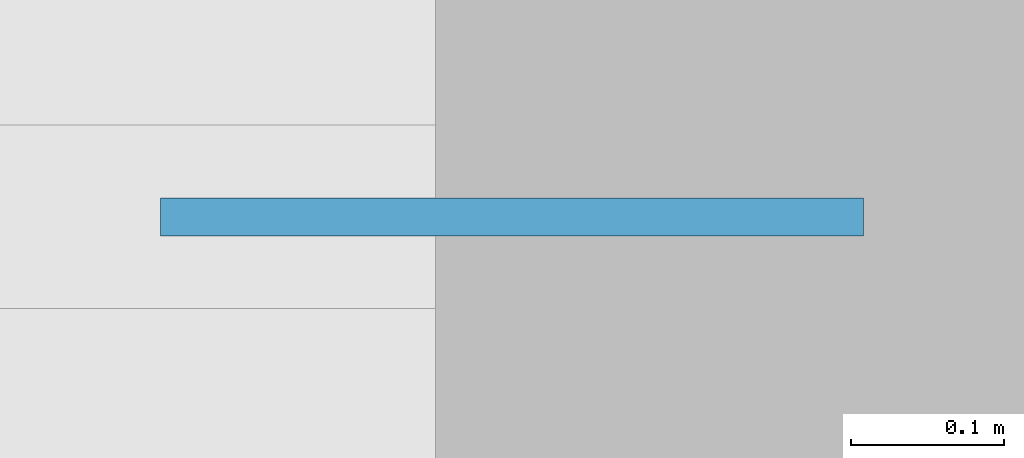
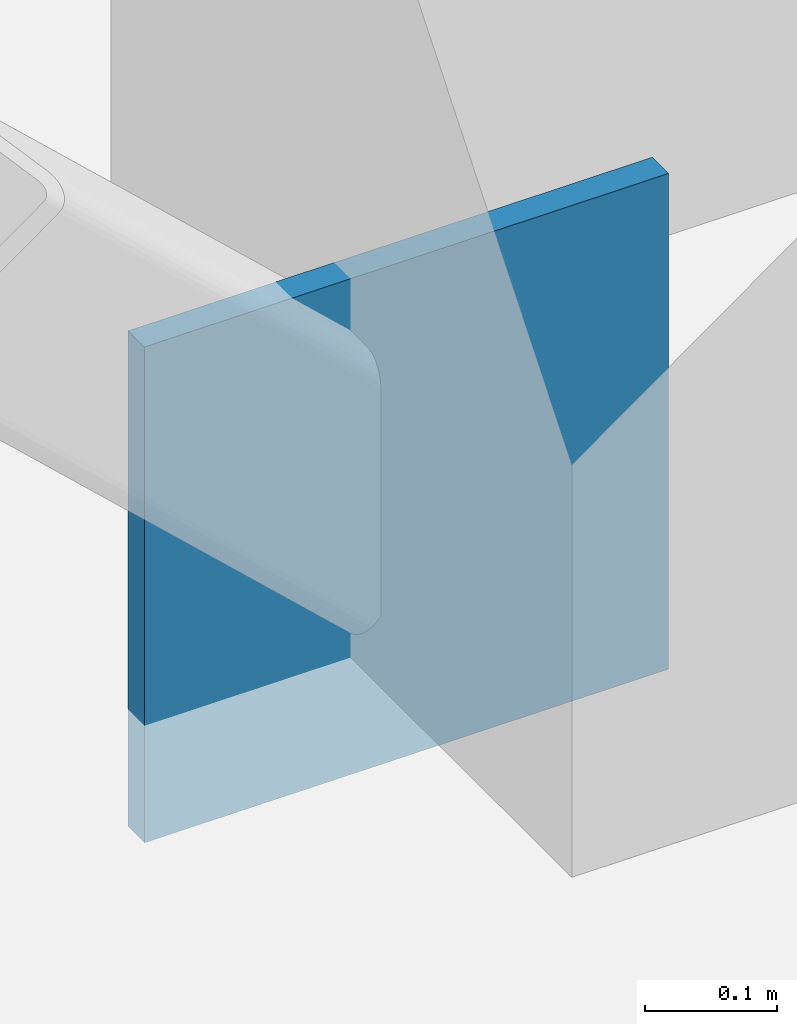
# One storey, part 23 of 36: 1 plate.
"""IFC4 building model written with IfcOpenShell, lengths in metres."""

import ifcopenshell
import ifcopenshell.guid

model = None  # the IFC model being written
_history = None  # IfcOwnerHistory: only IFC2X3 demands one
_inside = {}  # id of a spatial element -> (the spatial element, [elements in it])
_under = {}  # id of a project, library or spatial element -> (it, [spatial elements below it])
_declared = {}  # id of a project -> (the project, [libraries it declares])
_typed = {}  # id of a type object -> (the type object, [elements of that type])
_made_of = {}  # id of a material, layer set ... -> (it, [elements and type objects made of it])


def new_model(schema):
    """Start an empty IFC model of exactly this schema.

    Asked for "IFC4X3", IfcOpenShell would pick the latest addendum, in which some entities
    have other attributes; the version numbers below select the first issue.
    IFC2X3 requires an IfcOwnerHistory on every rooted entity: one is made here for all.
    """
    global model, _history
    if schema == "IFC4X3":
        model = ifcopenshell.file(schema_version=(4, 3, 0, 0))
    else:
        model = ifcopenshell.file(schema=schema)
    _inside.clear()
    _under.clear()
    _declared.clear()
    _typed.clear()
    _made_of.clear()
    _history = None
    if model.schema == "IFC2X3":
        org = make("IfcOrganization", Name="unknown")
        user = make(
            "IfcPersonAndOrganization",
            ThePerson=make("IfcPerson", FamilyName="unknown"),
            TheOrganization=org,
        )
        app = make(
            "IfcApplication",
            ApplicationDeveloper=org,
            Version="unknown",
            ApplicationFullName="unknown",
            ApplicationIdentifier="unknown",
        )
        _history = make(
            "IfcOwnerHistory",
            OwningUser=user,
            OwningApplication=app,
            ChangeAction="ADDED",
            CreationDate=0,
        )
    return model


def make(cls, **values):
    """One entity of the class cls with the attributes given. An attribute that is None is left unset."""
    return model.create_entity(
        cls, **{name: value for name, value in values.items() if value is not None}
    )


def rooted(cls, **values):
    """An entity with a GlobalId (a new one), such as an element, a storey or a relation."""
    return make(cls, GlobalId=ifcopenshell.guid.new(), OwnerHistory=_history, **values)


def si_unit(unit_type, name, prefix=None):
    """IfcSIUnit, for example si_unit("LENGTHUNIT", "METRE", prefix="MILLI")."""
    return make("IfcSIUnit", UnitType=unit_type, Prefix=prefix, Name=name)


def assignment(units):
    """IfcUnitAssignment: the units of a project."""
    return None if units is None else make("IfcUnitAssignment", Units=units)


def point(xyz):
    """IfcCartesianPoint."""
    return None if xyz is None else make("IfcCartesianPoint", Coordinates=xyz)


def direction(xyz):
    """IfcDirection."""
    return None if xyz is None else make("IfcDirection", DirectionRatios=xyz)


def frame(location, z_axis=None, x_axis=None):
    """IfcAxis2Placement3D, a coordinate frame: its origin and axes. An axis left out is left unset."""
    return make(
        "IfcAxis2Placement3D",
        Location=point(location),
        Axis=direction(z_axis),
        RefDirection=direction(x_axis),
    )


def frame_2d(location, x_axis=None):
    """IfcAxis2Placement2D, a coordinate frame in the plane: its origin and x axis."""
    return make(
        "IfcAxis2Placement2D", Location=point(location), RefDirection=direction(x_axis)
    )


def origin():
    """The frame at (0, 0, 0) with its axes left unset."""
    return frame((0.0, 0.0, 0.0))


def origin_2d():
    """The frame at (0, 0) in the plane with its x axis left unset."""
    return frame_2d((0.0, 0.0))


def place(relative_to, where):
    """IfcLocalPlacement: puts the frame where relative to a parent placement (None: the world)."""
    return make(
        "IfcLocalPlacement", PlacementRelTo=relative_to, RelativePlacement=where
    )


def context(
    kind, dimensions, precision=None, world=None, true_north=None, identifier=None
):
    """IfcGeometricRepresentationContext, for example the 3D "Model" context."""
    return make(
        "IfcGeometricRepresentationContext",
        ContextIdentifier=identifier,
        ContextType=kind,
        CoordinateSpaceDimension=dimensions,
        Precision=precision,
        WorldCoordinateSystem=world,
        TrueNorth=true_north,
    )


def subcontext(parent, identifier, kind, view, scale=None):
    """IfcGeometricRepresentationSubContext, for example "Body" below "Model"."""
    return make(
        "IfcGeometricRepresentationSubContext",
        ContextIdentifier=identifier,
        ContextType=kind,
        ParentContext=parent,
        TargetScale=scale,
        TargetView=view,
    )


def project(units=None, contexts=None):
    """IfcProject with its units and contexts."""
    return rooted(
        "IfcProject",
        Name="project",
        RepresentationContexts=contexts,
        UnitsInContext=assignment(units),
    )


def spatial(cls, under=None, at=None, **own):
    """A site, building, storey or space (cls), placed at a placement, below another one or the project."""
    s = rooted(cls, ObjectPlacement=at, **own)
    if under is not None:
        _under.setdefault(under.id(), (under, []))[1].append(s)
    return s


def profile(cls, at=None, kind="AREA", **sizes):
    """A parametric profile (cls). Its sizes go by their IFC names, for example OverallWidth=200.0."""
    return make(cls, ProfileType=kind, Position=at, **sizes)


def rectangle(**sizes):
    """IfcRectangleProfileDef."""
    return profile("IfcRectangleProfileDef", **sizes)


def extrude(swept, where, along, depth):
    """IfcExtrudedAreaSolid: the profile swept, set in the frame where, extruded along a direction by depth."""
    return make(
        "IfcExtrudedAreaSolid",
        SweptArea=swept,
        Position=where,
        ExtrudedDirection=direction(along),
        Depth=depth,
    )


def shape(context_of_items, identifier, shape_type, items):
    """IfcShapeRepresentation: the items that make up one representation, for example the "Body"."""
    return make(
        "IfcShapeRepresentation",
        ContextOfItems=context_of_items,
        RepresentationIdentifier=identifier,
        RepresentationType=shape_type,
        Items=items,
    )


def material(Name=None, Category=None):
    """IfcMaterial."""
    return make("IfcMaterial", Name=Name, Category=Category)


def layer(
    of_material, thickness, ventilated=None, Name=None, Category=None, Priority=None
):
    """IfcMaterialLayer: one layer of a wall or slab, of a material (None: an air gap)."""
    return make(
        "IfcMaterialLayer",
        Material=of_material,
        LayerThickness=thickness,
        IsVentilated=ventilated,
        Name=Name,
        Category=Category,
        Priority=Priority,
    )


def layer_set(layers, Name=None):
    """IfcMaterialLayerSet."""
    return make("IfcMaterialLayerSet", MaterialLayers=layers, LayerSetName=Name)


def made_of(thing, what):
    """Note that an element or type object is made of a material, layer set ...; save() writes the relation."""
    if what is not None:
        _made_of.setdefault(what.id(), (what, []))[1].append(thing)
    return thing


def type_object(cls, material=None, **own):
    """A type object (cls), such as IfcWallType, which elements share."""
    return made_of(rooted(cls, **own), material)


def element(
    cls,
    number,
    at=None,
    inside=None,
    cuts=None,
    type_object=None,
    material=None,
    context=None,
    identifier="Body",
    shape_type=None,
    held_by="IfcProductDefinitionShape",
    body=None,
    shapes=None,
    **own,
):
    """One element of the class cls, such as IfcWall. Its Tag is "e" and its number.

    at: its placement. inside: the storey or other place that contains it. cuts: it is an
    opening in that element (IfcRelVoidsElement). A single representation is given by context,
    identifier, shape_type and body (its items); several are given by shapes. held_by: the class
    of the entity that holds the representations. save() writes the other relations.
    """
    e = rooted(cls, Tag="e%d" % number, ObjectPlacement=at, **own)
    if body is not None:
        shapes = [shape(context, identifier, shape_type, body)]
    if shapes is not None:
        e.Representation = make(held_by, Representations=shapes)
    if inside is not None:
        _inside.setdefault(inside.id(), (inside, []))[1].append(e)
    if cuts is not None:
        rooted(
            "IfcRelVoidsElement", RelatingBuildingElement=cuts, RelatedOpeningElement=e
        )
    if type_object is not None:
        _typed.setdefault(type_object.id(), (type_object, []))[1].append(e)
    return made_of(e, material)


def aggregate(whole, parts):
    """IfcRelAggregates: a whole, such as a stair, and the parts it consists of."""
    return rooted("IfcRelAggregates", RelatingObject=whole, RelatedObjects=parts)


def save(model, path):
    """Write the relations noted so far, then the file.

    IfcRelAggregates (storeys below a building ...), IfcRelContainedInSpatialStructure (elements
    in a storey), IfcRelDefinesByType, IfcRelAssociatesMaterial and IfcRelDeclares: one each for
    every whole, place, type object, material and project.
    """
    for whole, parts in _under.values():
        aggregate(whole, parts)
    for where, things in _inside.values():
        rooted(
            "IfcRelContainedInSpatialStructure",
            RelatedElements=things,
            RelatingStructure=where,
        )
    for kind, things in _typed.values():
        rooted("IfcRelDefinesByType", RelatedObjects=things, RelatingType=kind)
    for what, things in _made_of.values():
        rooted("IfcRelAssociatesMaterial", RelatedObjects=things, RelatingMaterial=what)
    for by, libraries in _declared.values():
        rooted("IfcRelDeclares", RelatingContext=by, RelatedDefinitions=libraries)
    model.write(path)


model = new_model("IFC4")

# Units and contexts
model_context = context("Model", 3, precision=1e-05, world=origin(), true_north=direction((0.0, 1.0)))
body_context = subcontext(model_context, "Body", "Model", "MODEL_VIEW")
ifc_project = project(units=[si_unit("LENGTHUNIT", "METRE"), si_unit("AREAUNIT", "SQUARE_METRE"), si_unit("VOLUMEUNIT", "CUBIC_METRE"), si_unit("PLANEANGLEUNIT", "RADIAN"), si_unit("MASSUNIT", "GRAM", prefix="KILO"), si_unit("THERMODYNAMICTEMPERATUREUNIT", "KELVIN"), si_unit("POWERUNIT", "WATT")], contexts=[model_context])

# Site, building, storey
site_placement = place(None, origin())
site = spatial("IfcSite", under=ifc_project, at=site_placement, CompositionType="ELEMENT")
building_placement = place(site_placement, origin())
building = spatial("IfcBuilding", under=site, at=building_placement, Name="Solvatero Civic Police Headquarters", CompositionType="ELEMENT")
storey_placement = place(building_placement, frame((0.0, 0.0, -8.39990234375)))
storey = spatial("IfcBuildingStorey", under=building, at=storey_placement, Name="B02", CompositionType="ELEMENT", Elevation=-8.39990234375)

# Plate
ifc_material = material(Name="Steel S355", Category="steel")
ifc_layer = layer(ifc_material, 0.02490234375)
ifc_layer_set = layer_set([ifc_layer], Name="Steel S355")
plate_type = type_object("IfcPlateType", Name="PLT-GUS-20", PredefinedType="SHEET", material=ifc_layer_set)
plate_placement = place(storey_placement, frame((135.699951171875, 36.5, -0.110107421875), z_axis=(0.0, 0.0, 1.0), x_axis=(1.0, 0.0, 0.0)))
element("IfcPlate", 1, at=plate_placement, inside=storey, type_object=plate_type, Name="Gusset Plate BR-V3-INT BSR B02", PredefinedType="SHEET", context=body_context, shape_type="SweptSolid", body=[
    extrude(rectangle(XDim=0.4599609375, YDim=0.02490234375, at=origin_2d()), origin(), (0.0, 0.0, 1.0), 0.4599609375),
])

save(model, "model.ifc")
